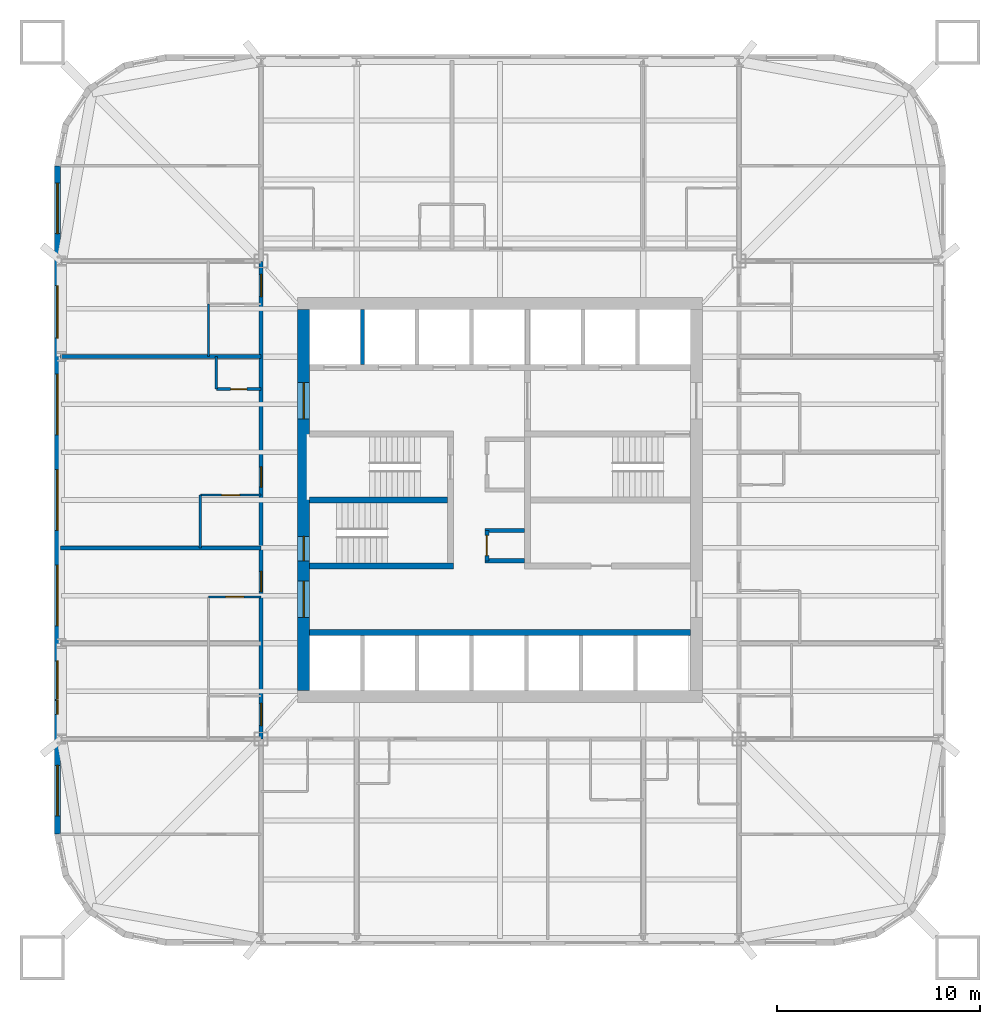
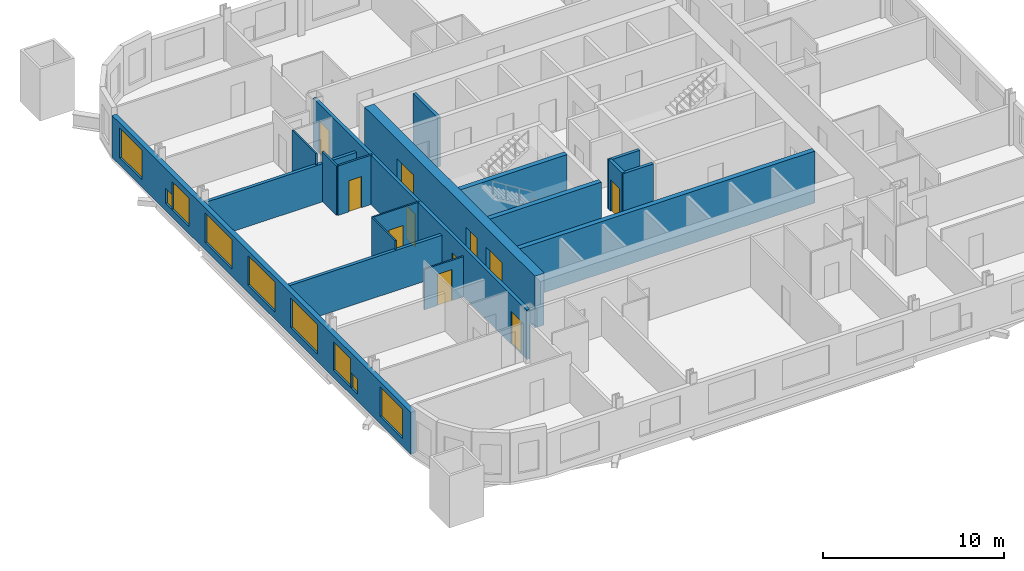
# One storey, part 4 of 10: 18 walls, 11 doors, 9 windows, 20 openings.
"""IFC4 building model written with IfcOpenShell, lengths in metres."""

from ifc_helpers import new_model, si_unit, direction, frame, frame_2d, origin, place, context, subcontext, project, spatial, rectangle, extrude, material, layer, layer_set, type_object, element, fill, save


model = new_model("IFC4")

# Units and contexts
model_context = context("Model", 3, precision=1e-05, world=origin(), true_north=direction((0.0, 1.0)))
body_context = subcontext(model_context, "Body", "Model", "MODEL_VIEW")
ifc_project = project(units=[si_unit("LENGTHUNIT", "METRE"), si_unit("AREAUNIT", "SQUARE_METRE"), si_unit("VOLUMEUNIT", "CUBIC_METRE"), si_unit("PLANEANGLEUNIT", "RADIAN"), si_unit("MASSUNIT", "GRAM", prefix="KILO")], contexts=[model_context])

# Site, building, storey
site_placement = place(None, origin())
site = spatial("IfcSite", under=ifc_project, at=site_placement, CompositionType="ELEMENT")
building_placement = place(site_placement, origin())
building = spatial("IfcBuilding", under=site, at=building_placement, Name="Turquesa Mirador Hotel Tower", CompositionType="ELEMENT")
storey_placement = place(building_placement, frame((0.0, 0.0, 39.0)))
storey = spatial("IfcBuildingStorey", under=building, at=storey_placement, Name="L09", CompositionType="ELEMENT", Elevation=39.0)

# Wall, opening, door
ifc_material_1 = material(Name="Gypsum board on steel studs", Category="steel")
ifc_layer_1 = layer(ifc_material_1, 0.10009765625)
ifc_layer_set_1 = layer_set([ifc_layer_1], Name="BATHROOM WALL 100")
wall_type_1 = type_object("IfcWallType", Name="BATHROOM WALL 100", PredefinedType="PARTITIONING", material=ifc_layer_set_1)
wall_1_placement = place(storey_placement, frame((40.60009765625, 40.219970703125, 0.0), z_axis=(0.0, 0.0, 1.0), x_axis=(1.0, 0.0, 0.0)))
wall_1 = element("IfcWall", 1, at=wall_1_placement, inside=storey, type_object=wall_type_1, Name="Partition L09 013", PredefinedType="PARTITIONING", context=body_context, shape_type="SweptSolid", body=[
    extrude(rectangle(XDim=2.599853515625, YDim=0.10009765625, at=frame_2d((1.2998046875, 0.0))), origin(), (0.0, 0.0, 1.0), 2.722900390625),
])
opening_1_placement = place(wall_1_placement, frame((0.85009765625, 0.0, 0.0)))
opening_1 = element("IfcOpeningElement", 2, at=opening_1_placement, cuts=wall_1, Name="Opening D02", PredefinedType="OPENING", context=body_context, shape_type="SweptSolid", body=[
    extrude(rectangle(XDim=0.89990234375, YDim=2.10009765625, at=frame_2d((0.449951171875, 1.050048828125))), frame((0.0, 0.06005859375, 0.0), z_axis=(0.0, -1.0, 0.0), x_axis=(1.0, 0.0, 0.0)), (0.0, 0.0, 1.0), 0.1201171875),
])
ifc_material_2 = material(Name="Timber veneered door", Category="wood")
door_type_1 = type_object("IfcDoorType", Name="DOOR 900X2100 EN-SUITE", OperationType="SINGLE_SWING_RIGHT", PredefinedType="DOOR", material=ifc_material_2)
door_1_placement = place(opening_1_placement, origin())
door_1 = element("IfcDoor", 3, at=door_1_placement, inside=storey, type_object=door_type_1, Name="Door 0908B", OperationType="SINGLE_SWING_RIGHT", OverallHeight=2.10009765625, OverallWidth=0.89990234375, PredefinedType="DOOR", context=body_context, shape_type="SweptSolid", body=[
    extrude(rectangle(XDim=0.89990234375, YDim=2.10009765625, at=frame_2d((0.449951171875, 1.050048828125))), frame((0.0, 0.02490234375, 0.0), z_axis=(0.0, -1.0, 0.0), x_axis=(1.0, 0.0, 0.0)), (0.0, 0.0, 1.0), 0.050048828125),
])
fill(opening_1, door_1)

wall_2_placement = place(storey_placement, frame((40.199951171875, 45.239990234375, 0.0), z_axis=(0.0, 0.0, 1.0), x_axis=(1.0, 0.0, 0.0)))
wall_2 = element("IfcWall", 4, at=wall_2_placement, inside=storey, type_object=wall_type_1, Name="Partition L09 018", PredefinedType="PARTITIONING", context=body_context, shape_type="SweptSolid", body=[
    extrude(rectangle(XDim=3.0, YDim=0.10009765625, at=frame_2d((1.5, 0.0))), origin(), (0.0, 0.0, 1.0), 3.330078125),
])
opening_2_placement = place(wall_2_placement, frame((1.050048828125, 0.0, 0.0)))
opening_2 = element("IfcOpeningElement", 5, at=opening_2_placement, cuts=wall_2, Name="Opening D02", PredefinedType="OPENING", context=body_context, shape_type="SweptSolid", body=[
    extrude(rectangle(XDim=0.89990234375, YDim=2.10009765625, at=frame_2d((0.449951171875, 1.050048828125))), frame((0.0, 0.06005859375, 0.0), z_axis=(0.0, -1.0, 0.0), x_axis=(1.0, 0.0, 0.0)), (0.0, 0.0, 1.0), 0.1201171875),
])
door_2_placement = place(opening_2_placement, origin())
door_2 = element("IfcDoor", 6, at=door_2_placement, inside=storey, type_object=door_type_1, Name="Door 0909B", OperationType="SINGLE_SWING_RIGHT", OverallHeight=2.10009765625, OverallWidth=0.89990234375, PredefinedType="DOOR", context=body_context, shape_type="SweptSolid", body=[
    extrude(rectangle(XDim=0.89990234375, YDim=2.10009765625, at=frame_2d((0.449951171875, 1.050048828125))), frame((0.0, 0.02490234375, 0.0), z_axis=(0.0, -1.0, 0.0), x_axis=(1.0, 0.0, 0.0)), (0.0, 0.0, 1.0), 0.050048828125),
])
fill(opening_2, door_2)

# Walls
wall_3_placement = place(storey_placement, frame((40.60009765625, 52.080078125, 0.0), z_axis=(0.0, 0.0, 1.0), x_axis=(0.0, 1.0, 0.0)))
element("IfcWall", 7, at=wall_3_placement, inside=storey, type_object=wall_type_1, Name="Partition L09 042", PredefinedType="PARTITIONING", context=body_context, shape_type="SweptSolid", body=[
    extrude(rectangle(XDim=2.599853515625, YDim=0.10009765625, at=frame_2d((1.2998046875, 0.0))), origin(), (0.0, 0.0, 1.0), 3.330078125),
])
wall_4_placement = place(storey_placement, frame((40.199951171875, 42.639892578125, 0.0), z_axis=(0.0, 0.0, 1.0), x_axis=(0.0, 1.0, 0.0)))
element("IfcWall", 8, at=wall_4_placement, inside=storey, type_object=wall_type_1, Name="Partition L09 045", PredefinedType="PARTITIONING", context=body_context, shape_type="SweptSolid", body=[
    extrude(rectangle(XDim=2.60009765625, YDim=0.10009765625, at=frame_2d((1.300048828125, 0.0))), origin(), (0.0, 0.0, 1.0), 3.330078125),
])
ifc_material_3 = material(Name="Concrete C50/60", Category="concrete")
ifc_layer_2 = layer(ifc_material_3, 0.300048828125)
ifc_layer_set_2 = layer_set([ifc_layer_2], Name="CORE INNER WALL 300")
wall_type_2 = type_object("IfcWallType", Name="CORE INNER WALL 300", PredefinedType="SHEAR", material=ifc_layer_set_2)
wall_5_placement = place(storey_placement, frame((45.60009765625, 38.449951171875, 0.0), z_axis=(0.0, 0.0, 1.0), x_axis=(1.0, 0.0, 0.0)))
element("IfcWall", 9, at=wall_5_placement, inside=storey, type_object=wall_type_2, Name="Core wall SL", PredefinedType="SHEAR", context=body_context, shape_type="SweptSolid", body=[
    extrude(rectangle(XDim=18.7998046875, YDim=0.300048828125, at=frame_2d((9.39990234375, 0.0))), origin(), (0.0, 0.0, 1.0), 3.5),
])
wall_6_placement = place(storey_placement, frame((45.60009765625, 41.75, 0.0), z_axis=(0.0, 0.0, 1.0), x_axis=(1.0, 0.0, 0.0)))
element("IfcWall", 10, at=wall_6_placement, inside=storey, type_object=wall_type_2, Name="Core wall MS-W", PredefinedType="SHEAR", context=body_context, shape_type="SweptSolid", body=[
    extrude(rectangle(XDim=7.099853515625, YDim=0.300048828125, at=frame_2d((3.5498046875, 0.0))), origin(), (0.0, 0.0, 1.0), 3.5),
])
wall_7_placement = place(storey_placement, frame((45.60009765625, 45.0, 0.0), z_axis=(0.0, 0.0, 1.0), x_axis=(1.0, 0.0, 0.0)))
element("IfcWall", 11, at=wall_7_placement, inside=storey, type_object=wall_type_2, Name="Core wall M0-W", PredefinedType="SHEAR", context=body_context, shape_type="SweptSolid", body=[
    extrude(rectangle(XDim=6.7998046875, YDim=0.300048828125, at=frame_2d((3.39990234375, 0.0))), origin(), (0.0, 0.0, 1.0), 3.5),
])

# Wall, openings, doors
ifc_material_4 = material(Name="Concrete C50/60", Category="concrete")
ifc_layer_3 = layer(ifc_material_4, 0.60009765625)
ifc_layer_set_3 = layer_set([ifc_layer_3], Name="CORE WALL 600")
wall_type_3 = type_object("IfcWallType", Name="CORE WALL 600", PredefinedType="SHEAR", material=ifc_layer_set_3)
wall_8_placement = place(storey_placement, frame((45.300048828125, 35.60009765625, 0.0), z_axis=(0.0, 0.0, 1.0), x_axis=(0.0, 1.0, 0.0)))
wall_8 = element("IfcWall", 12, at=wall_8_placement, inside=storey, type_object=wall_type_3, Name="Core wall W", PredefinedType="SHEAR", context=body_context, shape_type="SweptSolid", body=[
    extrude(rectangle(XDim=18.7998046875, YDim=0.60009765625, at=frame_2d((9.39990234375, 0.0))), origin(), (0.0, 0.0, 1.0), 3.5),
])
opening_3_placement = place(wall_8_placement, frame((13.39990234375, 0.0, 0.0)))
opening_3 = element("IfcOpeningElement", 13, at=opening_3_placement, cuts=wall_8, Name="Opening D04", PredefinedType="OPENING", context=body_context, shape_type="SweptSolid", body=[
    extrude(rectangle(XDim=1.800048828125, YDim=2.199951171875, at=frame_2d((0.89990234375, 1.10009765625))), frame((0.0, 0.31005859375, 0.0), z_axis=(0.0, -1.0, 0.0), x_axis=(1.0, 0.0, 0.0)), (0.0, 0.0, 1.0), 0.6201171875),
])
opening_4_placement = place(wall_8_placement, frame((3.60009765625, 0.0, 0.0)))
opening_4 = element("IfcOpeningElement", 14, at=opening_4_placement, cuts=wall_8, Name="Opening D04", PredefinedType="OPENING", context=body_context, shape_type="SweptSolid", body=[
    extrude(rectangle(XDim=1.800048828125, YDim=2.199951171875, at=frame_2d((0.89990234375, 1.10009765625))), frame((0.0, 0.31005859375, 0.0), z_axis=(0.0, -1.0, 0.0), x_axis=(1.0, 0.0, 0.0)), (0.0, 0.0, 1.0), 0.6201171875),
])
opening_5_placement = place(wall_8_placement, frame((6.39990234375, 0.0, 0.0)))
opening_5 = element("IfcOpeningElement", 15, at=opening_5_placement, cuts=wall_8, Name="Opening D03", PredefinedType="OPENING", context=body_context, shape_type="SweptSolid", body=[
    extrude(rectangle(XDim=1.199951171875, YDim=2.199951171875, at=frame_2d((0.60009765625, 1.10009765625))), frame((0.0, 0.31005859375, 0.0), z_axis=(0.0, -1.0, 0.0), x_axis=(1.0, 0.0, 0.0)), (0.0, 0.0, 1.0), 0.6201171875),
])
ifc_material_5 = material(Name="Steel fire door", Category="steel")
door_type_2 = type_object("IfcDoorType", Name="DOOR 1200X2200 STAIR", OperationType="SINGLE_SWING_LEFT", PredefinedType="DOOR", material=ifc_material_5)
door_3_placement = place(opening_5_placement, origin())
door_3 = element("IfcDoor", 16, at=door_3_placement, inside=storey, type_object=door_type_2, Name="Stair ST2 door", OperationType="SINGLE_SWING_LEFT", OverallHeight=2.199951171875, OverallWidth=1.199951171875, PredefinedType="DOOR", context=body_context, shape_type="SweptSolid", body=[
    extrude(rectangle(XDim=1.199951171875, YDim=2.199951171875, at=frame_2d((0.60009765625, 1.10009765625))), frame((0.0, 0.02490234375, 0.0), z_axis=(0.0, -1.0, 0.0), x_axis=(1.0, 0.0, 0.0)), (0.0, 0.0, 1.0), 0.050048828125),
])
fill(opening_5, door_3)
ifc_material_6 = material(Name="Steel fire door pair", Category="steel")
door_type_3 = type_object("IfcDoorType", Name="DOOR 1800X2200 PAIR", OperationType="DOUBLE_DOOR_SINGLE_SWING", PredefinedType="DOOR", material=ifc_material_6)
door_4_placement = place(opening_3_placement, origin())
door_4 = element("IfcDoor", 17, at=door_4_placement, inside=storey, type_object=door_type_3, Name="North lift lobby door", OperationType="DOUBLE_DOOR_SINGLE_SWING", OverallHeight=2.199951171875, OverallWidth=1.800048828125, PredefinedType="DOOR", context=body_context, shape_type="SweptSolid", body=[
    extrude(rectangle(XDim=1.800048828125, YDim=2.199951171875, at=frame_2d((0.89990234375, 1.10009765625))), frame((0.0, 0.02490234375, 0.0), z_axis=(0.0, -1.0, 0.0), x_axis=(1.0, 0.0, 0.0)), (0.0, 0.0, 1.0), 0.050048828125),
])
fill(opening_3, door_4)
door_5_placement = place(opening_4_placement, origin())
door_5 = element("IfcDoor", 18, at=door_5_placement, inside=storey, type_object=door_type_3, Name="South lift lobby door", OperationType="DOUBLE_DOOR_SINGLE_SWING", OverallHeight=2.199951171875, OverallWidth=1.800048828125, PredefinedType="DOOR", context=body_context, shape_type="SweptSolid", body=[
    extrude(rectangle(XDim=1.800048828125, YDim=2.199951171875, at=frame_2d((0.89990234375, 1.10009765625))), frame((0.0, 0.02490234375, 0.0), z_axis=(0.0, -1.0, 0.0), x_axis=(1.0, 0.0, 0.0)), (0.0, 0.0, 1.0), 0.050048828125),
])
fill(opening_4, door_5)

ifc_material_7 = material(Name="Fire-rated gypsum board on steel studs", Category="steel")
ifc_layer_4 = layer(ifc_material_7, 0.199951171875)
ifc_layer_set_4 = layer_set([ifc_layer_4], Name="CORRIDOR WALL 200")
wall_type_4 = type_object("IfcWallType", Name="CORRIDOR WALL 200", PredefinedType="PARTITIONING", material=ifc_layer_set_4)
wall_9_placement = place(storey_placement, frame((43.199951171875, 33.199951171875, 0.0), z_axis=(0.0, 0.0, 1.0), x_axis=(0.0, 1.0, 0.0)))
wall_9 = element("IfcWall", 19, at=wall_9_placement, inside=storey, type_object=wall_type_4, Name="Partition L09 037", PredefinedType="PARTITIONING", context=body_context, shape_type="SweptSolid", body=[
    extrude(rectangle(XDim=23.580078125, YDim=0.199951171875, at=frame_2d((11.7900390625, 0.0))), origin(), (0.0, 0.0, 1.0), 3.330078125),
])
opening_6_placement = place(wall_9_placement, frame((7.27001953125, 0.0, 0.0)))
opening_6 = element("IfcOpeningElement", 20, at=opening_6_placement, cuts=wall_9, Name="Opening D01", PredefinedType="OPENING", context=body_context, shape_type="SweptSolid", body=[
    extrude(rectangle(XDim=1.0, YDim=2.199951171875, at=frame_2d((0.5, 1.10009765625))), frame((0.0, 0.10986328125, 0.0), z_axis=(0.0, -1.0, 0.0), x_axis=(1.0, 0.0, 0.0)), (0.0, 0.0, 1.0), 0.219970703125),
])
opening_7_placement = place(wall_9_placement, frame((12.43994140625, 0.0, 0.0)))
opening_7 = element("IfcOpeningElement", 21, at=opening_7_placement, cuts=wall_9, Name="Opening D01", PredefinedType="OPENING", context=body_context, shape_type="SweptSolid", body=[
    extrude(rectangle(XDim=1.0, YDim=2.199951171875, at=frame_2d((0.5, 1.10009765625))), frame((0.0, 0.10986328125, 0.0), z_axis=(0.0, -1.0, 0.0), x_axis=(1.0, 0.0, 0.0)), (0.0, 0.0, 1.0), 0.219970703125),
])
opening_8_placement = place(wall_9_placement, frame((21.840087890625, 0.0, 0.0)))
opening_8 = element("IfcOpeningElement", 22, at=opening_8_placement, cuts=wall_9, Name="Opening D15", PredefinedType="OPENING", context=body_context, shape_type="SweptSolid", body=[
    extrude(rectangle(XDim=1.10009765625, YDim=2.199951171875, at=frame_2d((0.550048828125, 1.10009765625))), frame((0.0, 0.10986328125, 0.0), z_axis=(0.0, -1.0, 0.0), x_axis=(1.0, 0.0, 0.0)), (0.0, 0.0, 1.0), 0.219970703125),
])
opening_9_placement = place(wall_9_placement, frame((0.659912109375, 0.0, 0.0)))
opening_9 = element("IfcOpeningElement", 23, at=opening_9_placement, cuts=wall_9, Name="Opening D15", PredefinedType="OPENING", context=body_context, shape_type="SweptSolid", body=[
    extrude(rectangle(XDim=1.10009765625, YDim=2.199951171875, at=frame_2d((0.550048828125, 1.10009765625))), frame((0.0, 0.10986328125, 0.0), z_axis=(0.0, -1.0, 0.0), x_axis=(1.0, 0.0, 0.0)), (0.0, 0.0, 1.0), 0.219970703125),
])
ifc_material_8 = material(Name="Timber veneered fire door", Category="wood")
door_type_4 = type_object("IfcDoorType", Name="DOOR 1000X2200 GUEST ENTRY", OperationType="SINGLE_SWING_LEFT", PredefinedType="DOOR", material=ifc_material_8)
door_6_placement = place(opening_6_placement, origin())
door_6 = element("IfcDoor", 24, at=door_6_placement, inside=storey, type_object=door_type_4, Name="Door 0908", OperationType="SINGLE_SWING_LEFT", OverallHeight=2.199951171875, OverallWidth=1.0, PredefinedType="DOOR", context=body_context, shape_type="SweptSolid", body=[
    extrude(rectangle(XDim=1.0, YDim=2.199951171875, at=frame_2d((0.5, 1.10009765625))), frame((0.0, 0.02490234375, 0.0), z_axis=(0.0, -1.0, 0.0), x_axis=(1.0, 0.0, 0.0)), (0.0, 0.0, 1.0), 0.050048828125),
])
fill(opening_6, door_6)
door_7_placement = place(opening_7_placement, origin())
door_7 = element("IfcDoor", 25, at=door_7_placement, inside=storey, type_object=door_type_4, Name="Door 0909", OperationType="SINGLE_SWING_LEFT", OverallHeight=2.199951171875, OverallWidth=1.0, PredefinedType="DOOR", context=body_context, shape_type="SweptSolid", body=[
    extrude(rectangle(XDim=1.0, YDim=2.199951171875, at=frame_2d((0.5, 1.10009765625))), frame((0.0, 0.02490234375, 0.0), z_axis=(0.0, -1.0, 0.0), x_axis=(1.0, 0.0, 0.0)), (0.0, 0.0, 1.0), 0.050048828125),
])
fill(opening_7, door_7)
ifc_material_9 = material(Name="Timber veneered fire door", Category="wood")
door_type_5 = type_object("IfcDoorType", Name="DOOR 1100X2200 SUITE ENTRY", OperationType="SINGLE_SWING_LEFT", PredefinedType="DOOR", material=ifc_material_9)
door_8_placement = place(opening_8_placement, origin())
door_8 = element("IfcDoor", 26, at=door_8_placement, inside=storey, type_object=door_type_5, Name="Door 0911H", OperationType="SINGLE_SWING_LEFT", OverallHeight=2.199951171875, OverallWidth=1.10009765625, PredefinedType="DOOR", context=body_context, shape_type="SweptSolid", body=[
    extrude(rectangle(XDim=1.10009765625, YDim=2.199951171875, at=frame_2d((0.550048828125, 1.10009765625))), frame((0.0, 0.02490234375, 0.0), z_axis=(0.0, -1.0, 0.0), x_axis=(1.0, 0.0, 0.0)), (0.0, 0.0, 1.0), 0.050048828125),
])
fill(opening_8, door_8)
door_9_placement = place(opening_9_placement, origin())
door_9 = element("IfcDoor", 27, at=door_9_placement, inside=storey, type_object=door_type_5, Name="Door 0912H", OperationType="SINGLE_SWING_LEFT", OverallHeight=2.199951171875, OverallWidth=1.10009765625, PredefinedType="DOOR", context=body_context, shape_type="SweptSolid", body=[
    extrude(rectangle(XDim=1.10009765625, YDim=2.199951171875, at=frame_2d((0.550048828125, 1.10009765625))), frame((0.0, 0.02490234375, 0.0), z_axis=(0.0, -1.0, 0.0), x_axis=(1.0, 0.0, 0.0)), (0.0, 0.0, 1.0), 0.050048828125),
])
fill(opening_9, door_9)

# Wall, openings, windows
ifc_material_10 = material(Name="Limestone cladding on concrete block", Category="masonry")
ifc_layer_5 = layer(ifc_material_10, 0.300048828125)
ifc_layer_set_5 = layer_set([ifc_layer_5], Name="FACADE WALL 300 STONE SCREEN")
wall_type_5 = type_object("IfcWallType", Name="FACADE WALL 300 STONE SCREEN", PredefinedType="SOLIDWALL", material=ifc_layer_set_5)
wall_10_placement = place(storey_placement, frame((33.14990234375, 61.5, 0.0), z_axis=(0.0, 0.0, 1.0), x_axis=(0.0, -1.0, 0.0)))
wall_10 = element("IfcWall", 28, at=wall_10_placement, inside=storey, type_object=wall_type_5, Name="Facade wall L09 14", PredefinedType="SOLIDWALL", context=body_context, shape_type="SweptSolid", body=[
    extrude(rectangle(XDim=33.0, YDim=0.300048828125, at=frame_2d((16.5, 0.0))), origin(), (0.0, 0.0, 1.0), 2.830078125),
])
opening_10_placement = place(wall_10_placement, frame((0.85009765625, 0.0, 0.5)))
opening_10 = element("IfcOpeningElement", 29, at=opening_10_placement, cuts=wall_10, Name="Opening WN52", PredefinedType="OPENING", context=body_context, shape_type="SweptSolid", body=[
    extrude(rectangle(XDim=2.5, YDim=2.0, at=frame_2d((1.25, 1.0))), frame((0.0, 0.159912109375, 0.0), z_axis=(0.0, -1.0, 0.0), x_axis=(1.0, 0.0, 0.0)), (0.0, 0.0, 1.0), 0.320068359375),
])
opening_11_placement = place(wall_10_placement, frame((6.610107421875, 0.0, 0.5)))
opening_11 = element("IfcOpeningElement", 30, at=opening_11_placement, cuts=wall_10, Name="Opening WN48", PredefinedType="OPENING", context=body_context, shape_type="SweptSolid", body=[
    extrude(rectangle(XDim=1.89990234375, YDim=1.89990234375, at=frame_2d((0.949951171875, 0.949951171875))), frame((0.0, 0.159912109375, 0.0), z_axis=(0.0, -1.0, 0.0), x_axis=(1.0, 0.0, 0.0)), (0.0, 0.0, 1.0), 0.320068359375),
])
opening_12_placement = place(wall_10_placement, frame((10.280029296875, 0.0, 0.5)))
opening_12 = element("IfcOpeningElement", 31, at=opening_12_placement, cuts=wall_10, Name="Opening WN1", PredefinedType="OPENING", context=body_context, shape_type="SweptSolid", body=[
    extrude(rectangle(XDim=3.0, YDim=2.0, at=frame_2d((1.5, 1.0))), frame((0.0, 0.159912109375, 0.0), z_axis=(0.0, -1.0, 0.0), x_axis=(1.0, 0.0, 0.0)), (0.0, 0.0, 1.0), 0.320068359375),
])
opening_13_placement = place(wall_10_placement, frame((15.0, 0.0, 0.5)))
opening_13 = element("IfcOpeningElement", 32, at=opening_13_placement, cuts=wall_10, Name="Opening WN1", PredefinedType="OPENING", context=body_context, shape_type="SweptSolid", body=[
    extrude(rectangle(XDim=3.0, YDim=2.0, at=frame_2d((1.5, 1.0))), frame((0.0, 0.159912109375, 0.0), z_axis=(0.0, -1.0, 0.0), x_axis=(1.0, 0.0, 0.0)), (0.0, 0.0, 1.0), 0.320068359375),
])
opening_14_placement = place(wall_10_placement, frame((19.719970703125, 0.0, 0.5)))
opening_14 = element("IfcOpeningElement", 33, at=opening_14_placement, cuts=wall_10, Name="Opening WN1", PredefinedType="OPENING", context=body_context, shape_type="SweptSolid", body=[
    extrude(rectangle(XDim=3.0, YDim=2.0, at=frame_2d((1.5, 1.0))), frame((0.0, 0.159912109375, 0.0), z_axis=(0.0, -1.0, 0.0), x_axis=(1.0, 0.0, 0.0)), (0.0, 0.0, 1.0), 0.320068359375),
])
opening_15_placement = place(wall_10_placement, frame((24.43994140625, 0.0, 0.5)))
opening_15 = element("IfcOpeningElement", 34, at=opening_15_placement, cuts=wall_10, Name="Opening WN48", PredefinedType="OPENING", context=body_context, shape_type="SweptSolid", body=[
    extrude(rectangle(XDim=1.89990234375, YDim=1.89990234375, at=frame_2d((0.949951171875, 0.949951171875))), frame((0.0, 0.159912109375, 0.0), z_axis=(0.0, -1.0, 0.0), x_axis=(1.0, 0.0, 0.0)), (0.0, 0.0, 1.0), 0.320068359375),
])
opening_16_placement = place(wall_10_placement, frame((29.60009765625, 0.0, 0.5)))
opening_16 = element("IfcOpeningElement", 35, at=opening_16_placement, cuts=wall_10, Name="Opening WN52", PredefinedType="OPENING", context=body_context, shape_type="SweptSolid", body=[
    extrude(rectangle(XDim=2.5, YDim=2.0, at=frame_2d((1.25, 1.0))), frame((0.0, 0.159912109375, 0.0), z_axis=(0.0, -1.0, 0.0), x_axis=(1.0, 0.0, 0.0)), (0.0, 0.0, 1.0), 0.320068359375),
])
opening_17_placement = place(wall_10_placement, frame((5.909912109375, 0.0, 0.5)))
opening_17 = element("IfcOpeningElement", 36, at=opening_17_placement, cuts=wall_10, Name="Opening WN32", PredefinedType="OPENING", context=body_context, shape_type="SweptSolid", body=[
    extrude(rectangle(XDim=0.699951171875, YDim=1.0, at=frame_2d((0.35009765625, 0.5))), frame((0.0, 0.159912109375, 0.0), z_axis=(0.0, -1.0, 0.0), x_axis=(1.0, 0.0, 0.0)), (0.0, 0.0, 1.0), 0.320068359375),
])
opening_18_placement = place(wall_10_placement, frame((26.389892578125, 0.0, 0.5)))
opening_18 = element("IfcOpeningElement", 37, at=opening_18_placement, cuts=wall_10, Name="Opening WN32", PredefinedType="OPENING", context=body_context, shape_type="SweptSolid", body=[
    extrude(rectangle(XDim=0.699951171875, YDim=1.0, at=frame_2d((0.35009765625, 0.5))), frame((0.0, 0.159912109375, 0.0), z_axis=(0.0, -1.0, 0.0), x_axis=(1.0, 0.0, 0.0)), (0.0, 0.0, 1.0), 0.320068359375),
])
ifc_material_11 = material(Name="Ceramic-fritted laminated glass", Category="glass")
window_type_1 = type_object("IfcWindowType", Name="FRITTED WINDOW 1900X1900", PartitioningType="DOUBLE_PANEL_HORIZONTAL", PredefinedType="WINDOW", material=ifc_material_11)
window_1_placement = place(opening_11_placement, origin())
window_1 = element("IfcWindow", 38, at=window_1_placement, inside=storey, type_object=window_type_1, Name="Window L09", OverallHeight=1.89990234375, OverallWidth=1.89990234375, PartitioningType="SINGLE_PANEL", PredefinedType="WINDOW", context=body_context, shape_type="SweptSolid", body=[
    extrude(rectangle(XDim=1.89990234375, YDim=1.89990234375, at=frame_2d((0.949951171875, 0.949951171875))), frame((0.0, 0.030029296875, 0.0), z_axis=(0.0, -1.0, 0.0), x_axis=(1.0, 0.0, 0.0)), (0.0, 0.0, 1.0), 0.06005859375),
])
fill(opening_11, window_1)
window_2_placement = place(opening_15_placement, origin())
window_2 = element("IfcWindow", 39, at=window_2_placement, inside=storey, type_object=window_type_1, Name="Window L09", OverallHeight=1.89990234375, OverallWidth=1.89990234375, PartitioningType="SINGLE_PANEL", PredefinedType="WINDOW", context=body_context, shape_type="SweptSolid", body=[
    extrude(rectangle(XDim=1.89990234375, YDim=1.89990234375, at=frame_2d((0.949951171875, 0.949951171875))), frame((0.0, 0.030029296875, 0.0), z_axis=(0.0, -1.0, 0.0), x_axis=(1.0, 0.0, 0.0)), (0.0, 0.0, 1.0), 0.06005859375),
])
fill(opening_15, window_2)
ifc_material_12 = material(Name="Ceramic-fritted laminated glass", Category="glass")
window_type_2 = type_object("IfcWindowType", Name="FRITTED WINDOW 2500X2000", PartitioningType="DOUBLE_PANEL_HORIZONTAL", PredefinedType="WINDOW", material=ifc_material_12)
window_3_placement = place(opening_10_placement, origin())
window_3 = element("IfcWindow", 40, at=window_3_placement, inside=storey, type_object=window_type_2, Name="Window L09", OverallHeight=2.0, OverallWidth=2.5, PartitioningType="SINGLE_PANEL", PredefinedType="WINDOW", context=body_context, shape_type="SweptSolid", body=[
    extrude(rectangle(XDim=2.5, YDim=2.0, at=frame_2d((1.25, 1.0))), frame((0.0, 0.030029296875, 0.0), z_axis=(0.0, -1.0, 0.0), x_axis=(1.0, 0.0, 0.0)), (0.0, 0.0, 1.0), 0.06005859375),
])
fill(opening_10, window_3)
window_4_placement = place(opening_16_placement, origin())
window_4 = element("IfcWindow", 41, at=window_4_placement, inside=storey, type_object=window_type_2, Name="Window L09", OverallHeight=2.0, OverallWidth=2.5, PartitioningType="SINGLE_PANEL", PredefinedType="WINDOW", context=body_context, shape_type="SweptSolid", body=[
    extrude(rectangle(XDim=2.5, YDim=2.0, at=frame_2d((1.25, 1.0))), frame((0.0, 0.030029296875, 0.0), z_axis=(0.0, -1.0, 0.0), x_axis=(1.0, 0.0, 0.0)), (0.0, 0.0, 1.0), 0.06005859375),
])
fill(opening_16, window_4)
ifc_material_13 = material(Name="Ceramic-fritted laminated glass", Category="glass")
window_type_3 = type_object("IfcWindowType", Name="FRITTED WINDOW 3000X2000", PartitioningType="DOUBLE_PANEL_HORIZONTAL", PredefinedType="WINDOW", material=ifc_material_13)
window_5_placement = place(opening_12_placement, origin())
window_5 = element("IfcWindow", 42, at=window_5_placement, inside=storey, type_object=window_type_3, Name="Window L09", OverallHeight=2.0, OverallWidth=3.0, PartitioningType="SINGLE_PANEL", PredefinedType="WINDOW", context=body_context, shape_type="SweptSolid", body=[
    extrude(rectangle(XDim=3.0, YDim=2.0, at=frame_2d((1.5, 1.0))), frame((0.0, 0.030029296875, 0.0), z_axis=(0.0, -1.0, 0.0), x_axis=(1.0, 0.0, 0.0)), (0.0, 0.0, 1.0), 0.06005859375),
])
fill(opening_12, window_5)
window_6_placement = place(opening_13_placement, origin())
window_6 = element("IfcWindow", 43, at=window_6_placement, inside=storey, type_object=window_type_3, Name="Window L09", OverallHeight=2.0, OverallWidth=3.0, PartitioningType="SINGLE_PANEL", PredefinedType="WINDOW", context=body_context, shape_type="SweptSolid", body=[
    extrude(rectangle(XDim=3.0, YDim=2.0, at=frame_2d((1.5, 1.0))), frame((0.0, 0.030029296875, 0.0), z_axis=(0.0, -1.0, 0.0), x_axis=(1.0, 0.0, 0.0)), (0.0, 0.0, 1.0), 0.06005859375),
])
fill(opening_13, window_6)
window_7_placement = place(opening_14_placement, origin())
window_7 = element("IfcWindow", 44, at=window_7_placement, inside=storey, type_object=window_type_3, Name="Window L09", OverallHeight=2.0, OverallWidth=3.0, PartitioningType="SINGLE_PANEL", PredefinedType="WINDOW", context=body_context, shape_type="SweptSolid", body=[
    extrude(rectangle(XDim=3.0, YDim=2.0, at=frame_2d((1.5, 1.0))), frame((0.0, 0.030029296875, 0.0), z_axis=(0.0, -1.0, 0.0), x_axis=(1.0, 0.0, 0.0)), (0.0, 0.0, 1.0), 0.06005859375),
])
fill(opening_14, window_7)
ifc_material_14 = material(Name="Ceramic-fritted laminated glass", Category="glass")
window_type_4 = type_object("IfcWindowType", Name="FRITTED WINDOW 700X1000", PartitioningType="DOUBLE_PANEL_HORIZONTAL", PredefinedType="WINDOW", material=ifc_material_14)
window_8_placement = place(opening_17_placement, origin())
window_8 = element("IfcWindow", 45, at=window_8_placement, inside=storey, type_object=window_type_4, Name="Window L09", OverallHeight=1.0, OverallWidth=0.699951171875, PartitioningType="SINGLE_PANEL", PredefinedType="WINDOW", context=body_context, shape_type="SweptSolid", body=[
    extrude(rectangle(XDim=0.699951171875, YDim=1.0, at=frame_2d((0.35009765625, 0.5))), frame((0.0, 0.030029296875, 0.0), z_axis=(0.0, -1.0, 0.0), x_axis=(1.0, 0.0, 0.0)), (0.0, 0.0, 1.0), 0.06005859375),
])
fill(opening_17, window_8)
window_9_placement = place(opening_18_placement, origin())
window_9 = element("IfcWindow", 46, at=window_9_placement, inside=storey, type_object=window_type_4, Name="Window L09", OverallHeight=1.0, OverallWidth=0.699951171875, PartitioningType="SINGLE_PANEL", PredefinedType="WINDOW", context=body_context, shape_type="SweptSolid", body=[
    extrude(rectangle(XDim=0.699951171875, YDim=1.0, at=frame_2d((0.35009765625, 0.5))), frame((0.0, 0.030029296875, 0.0), z_axis=(0.0, -1.0, 0.0), x_axis=(1.0, 0.0, 0.0)), (0.0, 0.0, 1.0), 0.06005859375),
])
fill(opening_18, window_9)

# Wall, opening, door
ifc_material_15 = material(Name="Fire-rated gypsum board on steel studs", Category="steel")
ifc_layer_6 = layer(ifc_material_15, 0.199951171875)
ifc_layer_set_6 = layer_set([ifc_layer_6], Name="FIRE PARTITION 200")
wall_type_6 = type_object("IfcWallType", Name="FIRE PARTITION 200", PredefinedType="PARTITIONING", material=ifc_layer_set_6)
wall_11_placement = place(storey_placement, frame((54.35009765625, 42.0, 0.0), z_axis=(0.0, 0.0, 1.0), x_axis=(0.0, 1.0, 0.0)))
wall_11 = element("IfcWall", 47, at=wall_11_placement, inside=storey, type_object=wall_type_6, Name="Partition L09 SW W", PredefinedType="PARTITIONING", context=body_context, shape_type="SweptSolid", body=[
    extrude(rectangle(XDim=1.5, YDim=0.199951171875, at=frame_2d((0.75, 0.0))), origin(), (0.0, 0.0, 1.0), 3.330078125),
])
opening_19_placement = place(wall_11_placement, frame((0.25, 0.0, 0.0)))
opening_19 = element("IfcOpeningElement", 48, at=opening_19_placement, cuts=wall_11, Name="Opening D05", PredefinedType="OPENING", context=body_context, shape_type="SweptSolid", body=[
    extrude(rectangle(XDim=1.0, YDim=2.10009765625, at=frame_2d((0.5, 1.050048828125))), frame((0.0, 0.10986328125, 0.0), z_axis=(0.0, -1.0, 0.0), x_axis=(1.0, 0.0, 0.0)), (0.0, 0.0, 1.0), 0.219970703125),
])
ifc_material_16 = material(Name="Steel fire door", Category="steel")
door_type_6 = type_object("IfcDoorType", Name="DOOR 1000X2100 SERVICE", OperationType="SINGLE_SWING_LEFT", PredefinedType="DOOR", material=ifc_material_16)
door_10_placement = place(opening_19_placement, origin())
door_10 = element("IfcDoor", 49, at=door_10_placement, inside=storey, type_object=door_type_6, Name="Staff WC door", OperationType="SINGLE_SWING_LEFT", OverallHeight=2.10009765625, OverallWidth=1.0, PredefinedType="DOOR", context=body_context, shape_type="SweptSolid", body=[
    extrude(rectangle(XDim=1.0, YDim=2.10009765625, at=frame_2d((0.5, 1.050048828125))), frame((0.0, 0.02490234375, 0.0), z_axis=(0.0, -1.0, 0.0), x_axis=(1.0, 0.0, 0.0)), (0.0, 0.0, 1.0), 0.050048828125),
])
fill(opening_19, door_10)

# Walls
for number, where, z_axis, x_axis, name in (
    (50, (54.25, 42.0, 0.0), (0.0, 0.0, 1.0), (1.0, 0.0, 0.0), "Partition L09 SW S"),
    (51, (54.25, 43.5, 0.0), (0.0, 0.0, 1.0), (1.0, 0.0, 0.0), "Partition L09 SW N"),
):
    element("IfcWall", number, at=place(storey_placement, frame(where, z_axis=z_axis, x_axis=x_axis)), inside=storey, type_object=wall_type_6, Name=name, PredefinedType="PARTITIONING", context=body_context, shape_type="SweptSolid", body=[
        extrude(rectangle(XDim=1.949951171875, YDim=0.199951171875, at=frame_2d((0.97509765625, 0.0))), origin(), (0.0, 0.0, 1.0), 3.330078125),
    ])
ifc_material_17 = material(Name="Fire-rated gypsum shaft wall on steel studs", Category="steel")
ifc_layer_7 = layer(ifc_material_17, 0.199951171875)
ifc_layer_set_7 = layer_set([ifc_layer_7], Name="LIFT SHAFT DIVIDER 200")
wall_type_7 = type_object("IfcWallType", Name="LIFT SHAFT DIVIDER 200", PredefinedType="PARTITIONING", material=ifc_layer_set_7)
wall_12_placement = place(storey_placement, frame((48.199951171875, 51.699951171875, 0.0), z_axis=(0.0, 0.0, 1.0), x_axis=(0.0, 1.0, 0.0)))
element("IfcWall", 52, at=wall_12_placement, inside=storey, type_object=wall_type_7, Name="Lift shaft divider", PredefinedType="PARTITIONING", context=body_context, shape_type="SweptSolid", body=[
    extrude(rectangle(XDim=2.699951171875, YDim=0.199951171875, at=frame_2d((1.35009765625, 0.0))), origin(), (0.0, 0.0, 1.0), 3.330078125),
])
ifc_material_18 = material(Name="Fire-rated gypsum board on steel studs", Category="steel")
ifc_layer_8 = layer(ifc_material_18, 0.199951171875)
ifc_layer_set_8 = layer_set([ifc_layer_8], Name="PARTY WALL 200")
wall_type_8 = type_object("IfcWallType", Name="PARTY WALL 200", PredefinedType="PARTITIONING", material=ifc_layer_set_8)
wall_13_placement = place(storey_placement, frame((33.300048828125, 42.639892578125, 0.0), z_axis=(0.0, 0.0, 1.0), x_axis=(1.0, 0.0, 0.0)))
element("IfcWall", 53, at=wall_13_placement, inside=storey, type_object=wall_type_8, Name="Partition L09 011", PredefinedType="PARTITIONING", context=body_context, shape_type="SweptSolid", body=[
    extrude(rectangle(XDim=9.89990234375, YDim=0.199951171875, at=frame_2d((4.949951171875, 0.0))), origin(), (0.0, 0.0, 1.0), 2.722900390625),
])
wall_14_placement = place(storey_placement, frame((33.300048828125, 52.080078125, 0.0), z_axis=(0.0, 0.0, 1.0), x_axis=(1.0, 0.0, 0.0)))
element("IfcWall", 54, at=wall_14_placement, inside=storey, type_object=wall_type_8, Name="Partition L09 032", PredefinedType="PARTITIONING", context=body_context, shape_type="SweptSolid", body=[
    extrude(rectangle(XDim=9.89990234375, YDim=0.199951171875, at=frame_2d((4.949951171875, 0.0))), origin(), (0.0, 0.0, 1.0), 2.572998046875),
])

# Wall, opening, door
ifc_material_19 = material(Name="Acoustic gypsum board on steel studs", Category="steel")
ifc_layer_9 = layer(ifc_material_19, 0.125)
ifc_layer_set_9 = layer_set([ifc_layer_9], Name="SUITE PARTITION 125")
wall_type_9 = type_object("IfcWallType", Name="SUITE PARTITION 125", PredefinedType="PARTITIONING", material=ifc_layer_set_9)
wall_15_placement = place(storey_placement, frame((41.0, 50.47998046875, 0.0), z_axis=(0.0, 0.0, 1.0), x_axis=(1.0, 0.0, 0.0)))
wall_15 = element("IfcWall", 55, at=wall_15_placement, inside=storey, type_object=wall_type_9, Name="Partition L09 031", PredefinedType="PARTITIONING", context=body_context, shape_type="SweptSolid", body=[
    extrude(rectangle(XDim=2.199951171875, YDim=0.125, at=frame_2d((1.10009765625, 0.0))), origin(), (0.0, 0.0, 1.0), 3.330078125),
])
opening_20_placement = place(wall_15_placement, frame((0.699951171875, 0.0, 0.0)))
opening_20 = element("IfcOpeningElement", 56, at=opening_20_placement, cuts=wall_15, Name="Opening D20", PredefinedType="OPENING", context=body_context, shape_type="SweptSolid", body=[
    extrude(rectangle(XDim=0.800048828125, YDim=2.10009765625, at=frame_2d((0.39990234375, 1.050048828125))), frame((0.0, 0.072509765625, 0.0), z_axis=(0.0, -1.0, 0.0), x_axis=(1.0, 0.0, 0.0)), (0.0, 0.0, 1.0), 0.14501953125),
])
ifc_material_20 = material(Name="Timber veneered sliding door", Category="wood")
door_type_7 = type_object("IfcDoorType", Name="DOOR 800X2100 WARDROBE", OperationType="SLIDING_TO_LEFT", PredefinedType="DOOR", material=ifc_material_20)
door_11_placement = place(opening_20_placement, origin())
door_11 = element("IfcDoor", 57, at=door_11_placement, inside=storey, type_object=door_type_7, Name="Door 0909W", OperationType="SLIDING_TO_LEFT", OverallHeight=2.10009765625, OverallWidth=0.800048828125, PredefinedType="DOOR", context=body_context, shape_type="SweptSolid", body=[
    extrude(rectangle(XDim=0.800048828125, YDim=2.10009765625, at=frame_2d((0.39990234375, 1.050048828125))), frame((0.0, 0.02490234375, 0.0), z_axis=(0.0, -1.0, 0.0), x_axis=(1.0, 0.0, 0.0)), (0.0, 0.0, 1.0), 0.050048828125),
])
fill(opening_20, door_11)

# Wall
wall_16_placement = place(storey_placement, frame((41.0, 50.47998046875, 0.0), z_axis=(0.0, 0.0, 1.0), x_axis=(0.0, 1.0, 0.0)))
element("IfcWall", 58, at=wall_16_placement, inside=storey, type_object=wall_type_9, Name="Partition L09 040", PredefinedType="PARTITIONING", context=body_context, shape_type="SweptSolid", body=[
    extrude(rectangle(XDim=1.60009765625, YDim=0.125, at=frame_2d((0.800048828125, 0.0))), origin(), (0.0, 0.0, 1.0), 3.330078125),
])

save(model, "model.ifc")
